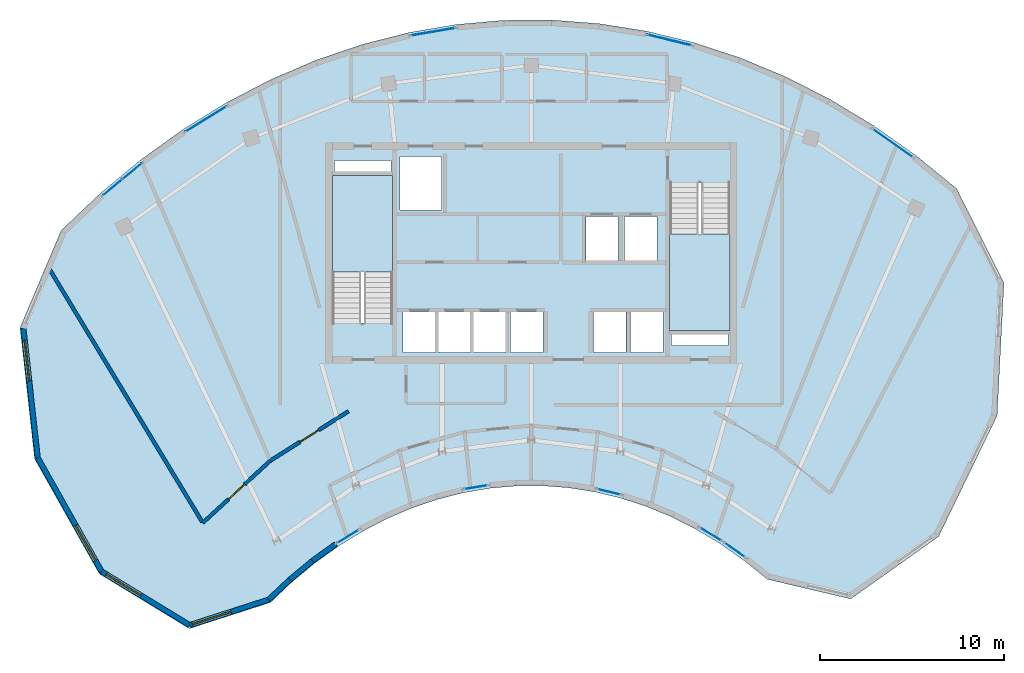
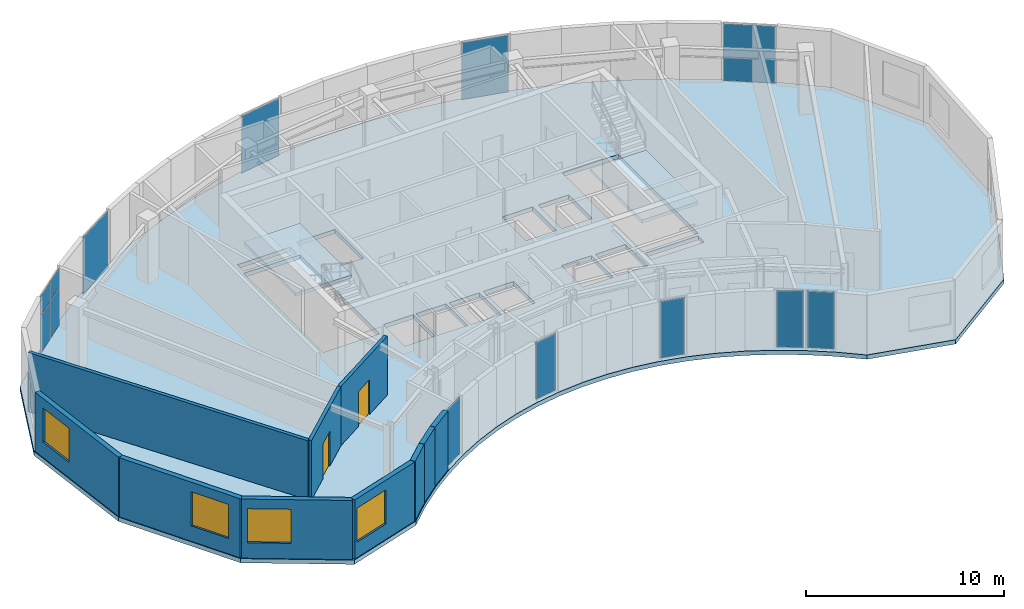
# One storey, part 4 of 9: 13 plates, 10 walls, 4 windows, 3 slabs, 2 doors, 6 openings, 12 elements without a shape of their own.
"""IFC4 building model written with IfcOpenShell, lengths in metres."""

from ifc_helpers import new_model, si_unit, direction, frame, frame_2d, origin, origin_2d, place, context, subcontext, project, spatial, polyline, rectangle, outline, extrude, source, transform, mapped, material, layer, layer_set, type_object, type_shapes, element, fill, aggregate, save


model = new_model("IFC4")

# Units and contexts
model_context = context("Model", 3, precision=1e-05, world=origin(), true_north=direction((0.0, 1.0)))
body_context = subcontext(model_context, "Body", "Model", "MODEL_VIEW")
ifc_project = project(units=[si_unit("LENGTHUNIT", "METRE"), si_unit("AREAUNIT", "SQUARE_METRE"), si_unit("VOLUMEUNIT", "CUBIC_METRE"), si_unit("PLANEANGLEUNIT", "RADIAN"), si_unit("MASSUNIT", "GRAM", prefix="KILO")], contexts=[model_context])

# Site, building, storey
site_placement = place(None, origin())
site = spatial("IfcSite", under=ifc_project, at=site_placement, CompositionType="ELEMENT")
building_placement = place(site_placement, origin())
building = spatial("IfcBuilding", under=site, at=building_placement, Name="Breltana Convention Tower", CompositionType="ELEMENT")
storey_placement = place(building_placement, frame((0.0, 0.0, 279.60009765625)))
storey = spatial("IfcBuildingStorey", under=building, at=storey_placement, Name="L68", CompositionType="ELEMENT", Elevation=279.60009765625)

# Stair, slab
ifc_material_1 = material(Name="Concrete C40/50", Category="concrete")
stair_type = type_object("IfcStairType", Name="ST-DOG-1560-R177", PredefinedType="HALF_TURN_STAIR", material=ifc_material_1)
stair_1_placement = place(storey_placement, origin())
stair_1 = element("IfcStair", 1, at=stair_1_placement, inside=storey, type_object=stair_type, Name="L68 Protected Core Exit Stair ST-1", PredefinedType="HALF_TURN_STAIR")
ifc_layer_1 = layer(ifc_material_1, 0.199951171875, Name="Concrete C40/50")
ifc_layer_set_1 = layer_set([ifc_layer_1], Name="Concrete C40/50")
slab_type_1 = type_object("IfcSlabType", Name="SL-STAIR-LANDING-200", PredefinedType="LANDING", material=ifc_layer_set_1)
slab_1_placement = place(storey_placement, frame((0.0, 0.0, 1.75)))
slab_1 = element("IfcSlab", 2, at=slab_1_placement, type_object=slab_type_1, Name="ST-1 landing 1", PredefinedType="LANDING", context=body_context, shape_type="SweptSolid", body=[
    extrude(outline(polyline([(40.469970703125, 65.159912109375), (40.469970703125, 70.39990234375), (37.199951171875, 70.39990234375), (37.199951171875, 65.159912109375), (40.469970703125, 65.159912109375)])), origin(), (0.0, 0.0, 1.0), 0.199951171875),
])
aggregate(stair_1, [slab_1])

stair_2_placement = place(storey_placement, origin())
stair_2 = element("IfcStair", 3, at=stair_2_placement, inside=storey, type_object=stair_type, Name="L68 Protected Core Exit Stair ST-2", PredefinedType="HALF_TURN_STAIR")
slab_2_placement = place(storey_placement, frame((0.0, 0.0, 1.75)))
slab_2 = element("IfcSlab", 4, at=slab_2_placement, type_object=slab_type_1, Name="ST-2 landing 1", PredefinedType="LANDING", context=body_context, shape_type="SweptSolid", body=[
    extrude(outline(polyline([(55.530029296875, 67.239990234375), (55.530029296875, 62.0), (58.800048828125, 62.0), (58.800048828125, 67.239990234375), (55.530029296875, 67.239990234375)])), origin(), (0.0, 0.0, 1.0), 0.199951171875),
])
aggregate(stair_2, [slab_2])

# Slab
ifc_layer_2 = layer(ifc_material_1, 0.260009765625, Name="Concrete C40/50")
ifc_layer_set_2 = layer_set([ifc_layer_2], Name="Concrete C40/50")
slab_type_2 = type_object("IfcSlabType", Name="SL-UPP-260", PredefinedType="FLOOR", material=ifc_layer_set_2)
slab_3_placement = place(storey_placement, frame((0.0, 0.0, -0.260009765625)))
element("IfcSlab", 5, at=slab_3_placement, inside=storey, type_object=slab_type_2, Name="L68 Suspended Structural Floor Slab", PredefinedType="FLOOR", context=body_context, shape_type="SweptSolid", body=[
    extrude(outline(polyline([(71.119873046875, 69.7060546875), (68.9033203125, 71.50830078125), (66.60888671875, 73.126220703125), (64.244873046875, 74.552978515625), (61.8203125, 75.783935546875), (59.34423828125, 76.814208984375), (56.825927734375, 77.639892578125), (54.2744140625, 78.25830078125), (51.69970703125, 78.66650390625), (49.111083984375, 78.863525390625), (46.5185546875, 78.848388671875), (43.931396484375, 78.62109375), (41.359375, 78.1826171875), (38.81201171875, 77.53466796875), (36.29931640625, 76.679443359375), (33.829833984375, 75.620361328125), (31.41357421875, 74.361083984375), (29.058837890625, 72.906494140625), (26.77490234375, 71.26220703125), (24.5703125, 69.433837890625), (22.452880859375, 67.4287109375), (20.216796875, 62.142578125), (21.007080078125, 55.0126953125), (24.52197265625, 48.762451171875), (29.418701171875, 45.779296875), (33.827392578125, 47.202392578125), (35.001953125, 48.31494140625), (36.22509765625, 49.3291015625), (37.491943359375, 50.241455078125), (38.79833984375, 51.04833984375), (40.138916015625, 51.746826171875), (41.5087890625, 52.33447265625), (42.90283203125, 52.80908203125), (44.31591796875, 53.16845703125), (45.742919921875, 53.41162109375), (47.177978515625, 53.537841796875), (48.616455078125, 53.546142578125), (50.052490234375, 53.43701171875), (51.48095703125, 53.21044921875), (52.896240234375, 52.867431640625), (54.29345703125, 52.4091796875), (55.6669921875, 51.837646484375), (57.01220703125, 51.15478515625), (58.323486328125, 50.36328125), (59.5966796875, 49.4658203125), (60.826171875, 48.4658203125), (65.370849609375, 47.394775390625), (70.1455078125, 50.789306640625), (73.326416015625, 57.352783203125), (73.698486328125, 64.57861328125), (71.119873046875, 69.7060546875)]), holes=[polyline([(37.199951171875, 62.385009765625), (40.469970703125, 62.385009765625), (40.469970703125, 70.39990234375), (37.199951171875, 70.39990234375), (37.199951171875, 62.385009765625)]), polyline([(55.530029296875, 62.0), (58.800048828125, 62.0), (58.800048828125, 70.014892578125), (55.530029296875, 70.014892578125), (55.530029296875, 62.0)]), polyline([(41.0400390625, 60.800048828125), (42.800048828125, 60.800048828125), (42.800048828125, 62.97998046875), (41.0400390625, 62.97998046875), (41.0400390625, 60.800048828125)]), polyline([(42.93994140625, 60.800048828125), (44.699951171875, 60.800048828125), (44.699951171875, 62.97998046875), (42.93994140625, 62.97998046875), (42.93994140625, 60.800048828125)]), polyline([(44.8701171875, 60.800048828125), (46.6298828125, 60.800048828125), (46.6298828125, 62.97998046875), (44.8701171875, 62.97998046875), (44.8701171875, 60.800048828125)]), polyline([(46.8701171875, 60.800048828125), (48.6298828125, 60.800048828125), (48.6298828125, 62.97998046875), (46.8701171875, 62.97998046875), (46.8701171875, 60.800048828125)]), polyline([(51.39990234375, 60.800048828125), (53.159912109375, 60.800048828125), (53.159912109375, 62.97998046875), (51.39990234375, 62.97998046875), (51.39990234375, 60.800048828125)]), polyline([(53.39990234375, 60.800048828125), (55.159912109375, 60.800048828125), (55.159912109375, 62.97998046875), (53.39990234375, 62.97998046875), (53.39990234375, 60.800048828125)]), polyline([(50.969970703125, 65.800048828125), (52.72998046875, 65.800048828125), (52.72998046875, 68.179931640625), (50.969970703125, 68.179931640625), (50.969970703125, 65.800048828125)]), polyline([(53.070068359375, 65.800048828125), (54.830078125, 65.800048828125), (54.830078125, 68.179931640625), (53.070068359375, 68.179931640625), (53.070068359375, 65.800048828125)]), polyline([(40.8798828125, 68.550048828125), (43.1201171875, 68.550048828125), (43.1201171875, 71.449951171875), (40.8798828125, 71.449951171875), (40.8798828125, 68.550048828125)]), polyline([(37.300048828125, 70.60009765625), (40.3798828125, 70.60009765625), (40.3798828125, 71.219970703125), (37.300048828125, 71.219970703125), (37.300048828125, 70.60009765625)]), polyline([(55.6201171875, 61.179931640625), (58.699951171875, 61.179931640625), (58.699951171875, 61.800048828125), (55.6201171875, 61.800048828125), (55.6201171875, 61.179931640625)])]), origin(), (0.0, 0.0, 1.0), 0.260009765625),
])

# Curtain wall, plate
ifc_material_2 = material(Name="Aluminium Anodised Bronze Frame", Category="aluminium")
ifc_layer_3 = layer(ifc_material_2, 0.18994140625, Name="Aluminium Anodised Bronze Frame")
ifc_layer_set_3 = layer_set([ifc_layer_3], Name="Aluminium Anodised Bronze Frame")
curtain_wall_type_1 = type_object("IfcCurtainWallType", Name="CW-SYS-1", PredefinedType="NOTDEFINED", material=ifc_layer_set_3)
curtain_wall_1_placement = place(storey_placement, origin())
curtain_wall_1 = element("IfcCurtainWall", 6, at=curtain_wall_1_placement, inside=storey, type_object=curtain_wall_type_1, Name="L68 inner south-court glazing 1", PredefinedType="NOTDEFINED")
ifc_material_3 = material(Name="Glass Low-E Double Glazing", Category="glass")
ifc_layer_4 = layer(ifc_material_3, 0.028076171875, Name="Glass Low-E Double Glazing")
ifc_layer_set_4 = layer_set([ifc_layer_4], Name="Glass Low-E Double Glazing")
plate_type_1 = type_object("IfcPlateType", Name="CWP-IGU-28", PredefinedType="CURTAIN_PANEL", material=ifc_layer_set_4)
shared_shape_1 = source(origin(), body_context, "Body", "SweptSolid", [
    extrude(rectangle(XDim=1.3974609375, YDim=0.028076171875, at=origin_2d()), origin(), (0.0, 0.0, 1.0), 3.47998046875),
])
plate_1_placement = place(storey_placement, frame((59.063720703125, 50.0615234375, 0.079833984375), z_axis=(0.0, 0.0, 1.0), x_axis=(-0.817327132857, 0.576173895534, 0.0)))
plate_1 = element("IfcPlate", 7, at=plate_1_placement, type_object=plate_type_1, Name="CW-01 panel 1.1", PredefinedType="CURTAIN_PANEL", context=body_context, shape_type="MappedRepresentation", body=[
    mapped(shared_shape_1, transform((0.0, 0.0, 0.0), scale=1.0)),
])
aggregate(curtain_wall_1, [plate_1])

curtain_wall_2_placement = place(storey_placement, origin())
curtain_wall_2 = element("IfcCurtainWall", 8, at=curtain_wall_2_placement, inside=storey, type_object=curtain_wall_type_1, Name="L68 inner south-court glazing 2", PredefinedType="NOTDEFINED")
shared_shape_2 = source(origin(), body_context, "Body", "SweptSolid", [
    extrude(rectangle(XDim=1.371826171875, YDim=0.028076171875, at=origin_2d()), origin(), (0.0, 0.0, 1.0), 3.47998046875),
])
plate_2_placement = place(storey_placement, frame((57.760986328125, 50.9130859375, 0.079833984375), z_axis=(0.0, 0.0, 1.0), x_axis=(-0.856090059164, 0.516826673654, 0.0)))
plate_2 = element("IfcPlate", 9, at=plate_2_placement, type_object=plate_type_1, Name="CW-01 panel 1.1", PredefinedType="CURTAIN_PANEL", context=body_context, shape_type="MappedRepresentation", body=[
    mapped(shared_shape_2, transform((0.0, 0.0, 0.0), scale=1.0)),
])
aggregate(curtain_wall_2, [plate_2])

curtain_wall_3_placement = place(storey_placement, origin())
curtain_wall_3 = element("IfcCurtainWall", 10, at=curtain_wall_3_placement, inside=storey, type_object=curtain_wall_type_1, Name="L68 inner south-court glazing 3", PredefinedType="NOTDEFINED")
shared_shape_3 = source(origin(), body_context, "Body", "SweptSolid", [
    extrude(rectangle(XDim=1.29638671875, YDim=0.028076171875, at=origin_2d()), origin(), (0.0, 0.0, 1.0), 3.47998046875),
])
plate_3_placement = place(storey_placement, frame((52.23095703125, 53.2138671875, 0.079833984375), z_axis=(0.0, 0.0, 1.0), x_axis=(-0.97187011181, 0.235517485062, 0.0)))
plate_3 = element("IfcPlate", 11, at=plate_3_placement, type_object=plate_type_1, Name="CW-01 panel 1.1", PredefinedType="CURTAIN_PANEL", context=body_context, shape_type="MappedRepresentation", body=[
    mapped(shared_shape_3, transform((0.0, 0.0, 0.0), scale=1.0)),
])
aggregate(curtain_wall_3, [plate_3])

curtain_wall_4_placement = place(storey_placement, origin())
curtain_wall_4 = element("IfcCurtainWall", 12, at=curtain_wall_4_placement, inside=storey, type_object=curtain_wall_type_1, Name="L68 inner south-court glazing 4", PredefinedType="NOTDEFINED")
shared_shape_4 = source(origin(), body_context, "Body", "SweptSolid", [
    extrude(rectangle(XDim=1.287353515625, YDim=0.028076171875, at=origin_2d()), origin(), (0.0, 0.0, 1.0), 3.47998046875),
])
plate_4_placement = place(storey_placement, frame((44.999267578125, 53.467529296875, 0.079833984375), z_axis=(0.0, 0.0, 1.0), x_axis=(-0.985782236223, -0.168027922521, 0.0)))
plate_4 = element("IfcPlate", 13, at=plate_4_placement, type_object=plate_type_1, Name="CW-01 panel 1.1", PredefinedType="CURTAIN_PANEL", context=body_context, shape_type="MappedRepresentation", body=[
    mapped(shared_shape_4, transform((0.0, 0.0, 0.0), scale=1.0)),
])
aggregate(curtain_wall_4, [plate_4])

curtain_wall_5_placement = place(storey_placement, origin())
curtain_wall_5 = element("IfcCurtainWall", 14, at=curtain_wall_5_placement, inside=storey, type_object=curtain_wall_type_1, Name="L68 inner south-court glazing 5", PredefinedType="NOTDEFINED")
shared_shape_5 = source(origin(), body_context, "Body", "SweptSolid", [
    extrude(rectangle(XDim=1.37548828125, YDim=0.028076171875, at=origin_2d()), origin(), (0.0, 0.0, 1.0), 3.47998046875),
])
plate_5_placement = place(storey_placement, frame((38.050537109375, 50.798095703125, 0.079833984375), z_axis=(0.0, 0.0, 1.0), x_axis=(-0.850749179302, -0.525571911271, 0.0)))
plate_5 = element("IfcPlate", 15, at=plate_5_placement, type_object=plate_type_1, Name="CW-01 panel 1.1", PredefinedType="CURTAIN_PANEL", context=body_context, shape_type="MappedRepresentation", body=[
    mapped(shared_shape_5, transform((0.0, 0.0, 0.0), scale=1.0)),
])
aggregate(curtain_wall_5, [plate_5])

ifc_layer_5 = layer(ifc_material_2, 0.22998046875, Name="Aluminium Anodised Bronze Frame")
ifc_layer_set_5 = layer_set([ifc_layer_5], Name="Aluminium Anodised Bronze Frame")
curtain_wall_type_2 = type_object("IfcCurtainWallType", Name="CW-SYS-5", PredefinedType="NOTDEFINED", material=ifc_layer_set_5)
curtain_wall_6_placement = place(storey_placement, origin())
curtain_wall_6 = element("IfcCurtainWall", 16, at=curtain_wall_6_placement, inside=storey, type_object=curtain_wall_type_2, Name="L68 outer double-skin inner glazing 3", PredefinedType="NOTDEFINED")
ifc_layer_6 = layer(ifc_material_3, 0.035888671875, Name="Glass Low-E Double Glazing")
ifc_layer_set_6 = layer_set([ifc_layer_6], Name="Glass Low-E Double Glazing")
plate_type_2 = type_object("IfcPlateType", Name="CWP-IGU-36", PredefinedType="CURTAIN_PANEL", material=ifc_layer_set_6)
shared_shape_6 = source(origin(), body_context, "Body", "SweptSolid", [
    extrude(rectangle(XDim=2.454345703125, YDim=0.035888671875, at=origin_2d()), origin(), (0.0, 0.0, 1.0), 3.5),
])
plate_6_placement = place(storey_placement, frame((42.675537109375, 78.224365234375, 0.06982421875), z_axis=(0.0, 0.0, 1.0), x_axis=(0.985784110175, 0.168016928095, 0.0)))
plate_6 = element("IfcPlate", 17, at=plate_6_placement, type_object=plate_type_2, Name="CW-05 panel 1.1", PredefinedType="CURTAIN_PANEL", context=body_context, shape_type="MappedRepresentation", body=[
    mapped(shared_shape_6, transform((0.0, 0.0, 0.0), scale=1.0)),
])
aggregate(curtain_wall_6, [plate_6])

curtain_wall_7_placement = place(storey_placement, origin())
curtain_wall_7 = element("IfcCurtainWall", 18, at=curtain_wall_7_placement, inside=storey, type_object=curtain_wall_type_2, Name="L68 outer double-skin inner glazing 4", PredefinedType="NOTDEFINED")
shared_shape_7 = source(origin(), body_context, "Body", "SweptSolid", [
    extrude(rectangle(XDim=2.470947265625, YDim=0.035888671875, at=origin_2d()), origin(), (0.0, 0.0, 1.0), 3.5),
])
plate_7_placement = place(storey_placement, frame((55.5078125, 77.774169921875, 0.06982421875), z_axis=(0.0, 0.0, 1.0), x_axis=(0.971870033767, -0.235517807109, 0.0)))
plate_7 = element("IfcPlate", 19, at=plate_7_placement, type_object=plate_type_2, Name="CW-05 panel 1.1", PredefinedType="CURTAIN_PANEL", context=body_context, shape_type="MappedRepresentation", body=[
    mapped(shared_shape_7, transform((0.0, 0.0, 0.0), scale=1.0)),
])
aggregate(curtain_wall_7, [plate_7])

curtain_wall_8_placement = place(storey_placement, origin())
curtain_wall_8 = element("IfcCurtainWall", 20, at=curtain_wall_8_placement, inside=storey, type_object=curtain_wall_type_2, Name="L68 outer double-skin inner glazing 5", PredefinedType="NOTDEFINED")
shared_shape_8 = source(origin(), body_context, "Body", "SweptSolid", [
    extrude(rectangle(XDim=2.65478515625, YDim=0.035888671875, at=origin_2d()), origin(), (0.0, 0.0, 1.0), 3.5),
])
plate_8_placement = place(storey_placement, frame((67.652587890625, 72.170166015625, 0.06982421875), z_axis=(0.0, 0.0, 1.0), x_axis=(0.817284057658, -0.576234994683, 0.0)))
plate_8 = element("IfcPlate", 21, at=plate_8_placement, type_object=plate_type_2, Name="CW-05 panel 1.1", PredefinedType="CURTAIN_PANEL", context=body_context, shape_type="MappedRepresentation", body=[
    mapped(shared_shape_8, transform((0.0, 0.0, 0.0), scale=1.0)),
])
aggregate(curtain_wall_8, [plate_8])

# Curtain wall, plates
curtain_wall_9_placement = place(storey_placement, origin())
curtain_wall_9 = element("IfcCurtainWall", 22, at=curtain_wall_9_placement, inside=storey, type_object=curtain_wall_type_2, Name="L68 outer double-skin inner glazing 1", PredefinedType="NOTDEFINED")
shared_shape_9 = source(origin(), body_context, "Body", "SweptSolid", [
    extrude(rectangle(XDim=1.321044921875, YDim=0.035888671875, at=origin_2d()), origin(), (0.0, 0.0, 1.0), 2.260986328125),
])
plate_9_placement = place(storey_placement, frame((25.252197265625, 69.765380859375, 0.06982421875), z_axis=(0.0, 0.0, 1.0), x_axis=(0.76977098678, 0.638320160979, 0.0)))
plate_9 = element("IfcPlate", 23, at=plate_9_placement, type_object=plate_type_2, Name="CW-05 panel 1.1", PredefinedType="CURTAIN_PANEL", context=body_context, shape_type="MappedRepresentation", body=[
    mapped(shared_shape_9, transform((0.0, 0.0, 0.0), scale=1.0)),
])
plate_10_placement = place(storey_placement, frame((26.322998046875, 70.6533203125, 0.06982421875), z_axis=(0.0, 0.0, 1.0), x_axis=(0.76977098678, 0.638320160979, 0.0)))
plate_10 = element("IfcPlate", 24, at=plate_10_placement, type_object=plate_type_2, Name="CW-05 panel 2.1", PredefinedType="CURTAIN_PANEL", context=body_context, shape_type="MappedRepresentation", body=[
    mapped(shared_shape_9, transform((0.0, 0.0, 0.0), scale=1.0)),
])
shared_shape_10 = source(origin(), body_context, "Body", "SweptSolid", [
    extrude(rectangle(XDim=1.321044921875, YDim=0.035888671875, at=origin_2d()), origin(), (0.0, 0.0, 1.0), 1.1689453125),
])
plate_11_placement = place(storey_placement, frame((25.252197265625, 69.765380859375, 2.40087890625), z_axis=(0.0, 0.0, 1.0), x_axis=(0.76977098678, 0.638320160979, 0.0)))
plate_11 = element("IfcPlate", 25, at=plate_11_placement, type_object=plate_type_2, Name="CW-05 panel 1.2", PredefinedType="CURTAIN_PANEL", context=body_context, shape_type="MappedRepresentation", body=[
    mapped(shared_shape_10, transform((0.0, 0.0, 0.0), scale=1.0)),
])
plate_12_placement = place(storey_placement, frame((26.322998046875, 70.6533203125, 2.40087890625), z_axis=(0.0, 0.0, 1.0), x_axis=(0.76977098678, 0.638320160979, 0.0)))
plate_12 = element("IfcPlate", 26, at=plate_12_placement, type_object=plate_type_2, Name="CW-05 panel 2.2", PredefinedType="CURTAIN_PANEL", context=body_context, shape_type="MappedRepresentation", body=[
    mapped(shared_shape_10, transform((0.0, 0.0, 0.0), scale=1.0)),
])
aggregate(curtain_wall_9, [plate_9, plate_11, plate_10, plate_12])

# Curtain wall, plate
curtain_wall_10_placement = place(storey_placement, origin())
curtain_wall_10 = element("IfcCurtainWall", 27, at=curtain_wall_10_placement, inside=storey, type_object=curtain_wall_type_2, Name="L68 outer double-skin inner glazing 2", PredefinedType="NOTDEFINED")
shared_shape_11 = source(origin(), body_context, "Body", "SweptSolid", [
    extrude(rectangle(XDim=2.61474609375, YDim=0.035888671875, at=origin_2d()), origin(), (0.0, 0.0, 1.0), 3.5),
])
plate_13_placement = place(storey_placement, frame((30.330810546875, 73.480712890625, 0.06982421875), z_axis=(0.0, 0.0, 1.0), x_axis=(0.850768399946, 0.525540797325, 0.0)))
plate_13 = element("IfcPlate", 28, at=plate_13_placement, type_object=plate_type_2, Name="CW-05 panel 1.1", PredefinedType="CURTAIN_PANEL", context=body_context, shape_type="MappedRepresentation", body=[
    mapped(shared_shape_11, transform((0.0, 0.0, 0.0), scale=1.0)),
])
aggregate(curtain_wall_10, [plate_13])

# Walls
ifc_material_4 = material(Name="Limestone Buff Insulated Wall", Category="masonry")
ifc_layer_7 = layer(ifc_material_4, 0.280029296875, Name="Limestone Buff Insulated Wall")
ifc_layer_set_7 = layer_set([ifc_layer_7], Name="Limestone Buff Insulated Wall")
wall_type_1 = type_object("IfcWallType", Name="WL-EXT-NOSE-280", PredefinedType="SOLIDWALL", material=ifc_layer_set_7)
shared_shape_12 = source(origin(), body_context, "Body", "SweptSolid", [
    extrude(rectangle(XDim=1.56103515625, YDim=0.280029296875, at=frame_2d((0.780517578125, 0.0))), origin(), (0.0, 0.0, 1.0), 3.639892578125),
])
wall_1_placement = place(storey_placement, frame((37.38671875, 50.387451171875, 0.0), z_axis=(0.0, 0.0, 1.0), x_axis=(-0.81154027425, -0.584296485758, 0.0)))
element("IfcWall", 29, at=wall_1_placement, inside=storey, type_object=wall_type_1, Name="L68 curved limestone nose wall E18", PredefinedType="SOLIDWALL", context=body_context, shape_type="MappedRepresentation", body=[
    mapped(shared_shape_12, transform((0.0, 0.0, 0.0), scale=1.0)),
])
shared_shape_13 = source(origin(), body_context, "Body", "SweptSolid", [
    extrude(rectangle(XDim=1.5888671875, YDim=0.280029296875, at=frame_2d((0.79443359375, 0.0))), origin(), (0.0, 0.0, 1.0), 3.639892578125),
])
wall_2_placement = place(storey_placement, frame((36.110107421875, 49.4677734375, 0.0), z_axis=(0.0, 0.0, 1.0), x_axis=(-0.769805836273, -0.63827813251, 0.0)))
element("IfcWall", 30, at=wall_2_placement, inside=storey, type_object=wall_type_1, Name="L68 curved limestone nose wall E19", PredefinedType="SOLIDWALL", context=body_context, shape_type="MappedRepresentation", body=[
    mapped(shared_shape_13, transform((0.0, 0.0, 0.0), scale=1.0)),
])
shared_shape_14 = source(origin(), body_context, "Body", "SweptSolid", [
    extrude(rectangle(XDim=1.576904296875, YDim=0.280029296875, at=frame_2d((0.78857421875, 0.0))), origin(), (0.0, 0.0, 1.0), 3.639892578125),
])
wall_3_placement = place(storey_placement, frame((34.878173828125, 48.445556640625, 0.0), z_axis=(0.0, 0.0, 1.0), x_axis=(-0.726119464467, -0.687568558998, 0.0)))
element("IfcWall", 31, at=wall_3_placement, inside=storey, type_object=wall_type_1, Name="L68 curved limestone nose wall W1", PredefinedType="SOLIDWALL", context=body_context, shape_type="MappedRepresentation", body=[
    mapped(shared_shape_14, transform((0.0, 0.0, 0.0), scale=1.0)),
])

# Wall, opening, window
shared_shape_15 = source(origin(), body_context, "Body", "SweptSolid", [
    extrude(rectangle(XDim=4.50927734375, YDim=0.280029296875, at=frame_2d((2.254638671875, 0.0))), origin(), (0.0, 0.0, 1.0), 3.639892578125),
])
wall_4_placement = place(storey_placement, frame((33.733154296875, 47.361328125, 0.0), z_axis=(0.0, 0.0, 1.0), x_axis=(-0.95162949292, -0.307247958828, 0.0)))
wall_4 = element("IfcWall", 32, at=wall_4_placement, inside=storey, type_object=wall_type_1, Name="L68 curved limestone nose wall W2", PredefinedType="SOLIDWALL", context=body_context, shape_type="MappedRepresentation", body=[
    mapped(shared_shape_15, transform((0.0, 0.0, 0.0), scale=1.0)),
])
opening_1_placement = place(wall_4_placement, frame((2.1494140625, 0.0, 0.949951171875)))
opening_1 = element("IfcOpeningElement", 33, at=opening_1_placement, cuts=wall_4, Name="Opening W-03", PredefinedType="OPENING", context=body_context, shape_type="SweptSolid", body=[
    extrude(rectangle(XDim=2.199951171875, YDim=2.10009765625, at=frame_2d((1.10009765625, 1.050048828125))), frame((0.0, 0.14990234375, 0.0), z_axis=(0.0, -1.0, 0.0), x_axis=(1.0, 0.0, 0.0)), (0.0, 0.0, 1.0), 0.300048828125),
])
ifc_material_5 = material(Name="Glass Low-E Insulated Window", Category="glass")
window_type = type_object("IfcWindowType", Name="WN-NOSE-2200X2100", PartitioningType="TRIPLE_PANEL_VERTICAL", PredefinedType="WINDOW", material=ifc_material_5)
shared_shape_16 = source(origin(), body_context, "Body", "SweptSolid", [
    extrude(rectangle(XDim=2.199951171875, YDim=2.10009765625, at=frame_2d((1.10009765625, 1.050048828125))), frame((0.0, 0.030029296875, 0.0), z_axis=(0.0, -1.0, 0.0), x_axis=(1.0, 0.0, 0.0)), (0.0, 0.0, 1.0), 0.06005859375),
])
type_shapes(window_type, [shared_shape_16])
window_1_placement = place(opening_1_placement, origin())
window_1 = element("IfcWindow", 34, at=window_1_placement, inside=storey, type_object=window_type, Name="L68 nose window W2", OverallHeight=2.10009765625, OverallWidth=2.199951171875, PartitioningType="TRIPLE_PANEL_VERTICAL", PredefinedType="WINDOW", context=body_context, shape_type="MappedRepresentation", body=[
    mapped(shared_shape_16, transform((0.0, 0.0, 0.0), scale=1.0)),
])
fill(opening_1, window_1)

shared_shape_17 = source(origin(), body_context, "Body", "SweptSolid", [
    extrude(rectangle(XDim=5.604248046875, YDim=0.280029296875, at=frame_2d((2.80224609375, 0.0))), origin(), (0.0, 0.0, 1.0), 3.639892578125),
])
wall_5_placement = place(storey_placement, frame((29.44189453125, 45.975830078125, 0.0), z_axis=(0.0, 0.0, 1.0), x_axis=(-0.854002492971, 0.520268913158, 0.0)))
wall_5 = element("IfcWall", 35, at=wall_5_placement, inside=storey, type_object=wall_type_1, Name="L68 curved limestone nose wall W3", PredefinedType="SOLIDWALL", context=body_context, shape_type="MappedRepresentation", body=[
    mapped(shared_shape_17, transform((0.0, 0.0, 0.0), scale=1.0)),
])
opening_2_placement = place(wall_5_placement, frame((3.103271484375, 0.0, 0.949951171875)))
opening_2 = element("IfcOpeningElement", 36, at=opening_2_placement, cuts=wall_5, Name="Opening W-03", PredefinedType="OPENING", context=body_context, shape_type="SweptSolid", body=[
    extrude(rectangle(XDim=2.199951171875, YDim=2.10009765625, at=frame_2d((1.10009765625, 1.050048828125))), frame((0.0, 0.14990234375, 0.0), z_axis=(0.0, -1.0, 0.0), x_axis=(1.0, 0.0, 0.0)), (0.0, 0.0, 1.0), 0.300048828125),
])
window_2_placement = place(opening_2_placement, origin())
window_2 = element("IfcWindow", 37, at=window_2_placement, inside=storey, type_object=window_type, Name="L68 nose window W3", OverallHeight=2.10009765625, OverallWidth=2.199951171875, PartitioningType="TRIPLE_PANEL_VERTICAL", PredefinedType="WINDOW", context=body_context, shape_type="MappedRepresentation", body=[
    mapped(shared_shape_16, transform((0.0, 0.0, 0.0), scale=1.0)),
])
fill(opening_2, window_2)

shared_shape_18 = source(origin(), body_context, "Body", "SweptSolid", [
    extrude(rectangle(XDim=7.087158203125, YDim=0.280029296875, at=frame_2d((3.54345703125, 0.0))), origin(), (0.0, 0.0, 1.0), 3.639892578125),
])
wall_6_placement = place(storey_placement, frame((24.65576171875, 48.8916015625, 0.0), z_axis=(0.0, 0.0, 1.0), x_axis=(-0.490158199368, 0.871633489256, 0.0)))
wall_6 = element("IfcWall", 38, at=wall_6_placement, inside=storey, type_object=wall_type_1, Name="L68 curved limestone nose wall W4", PredefinedType="SOLIDWALL", context=body_context, shape_type="MappedRepresentation", body=[
    mapped(shared_shape_18, transform((0.0, 0.0, 0.0), scale=1.0)),
])
opening_3_placement = place(wall_6_placement, frame((0.671875, 0.0, 0.949951171875)))
opening_3 = element("IfcOpeningElement", 39, at=opening_3_placement, cuts=wall_6, Name="Opening W-03", PredefinedType="OPENING", context=body_context, shape_type="SweptSolid", body=[
    extrude(rectangle(XDim=2.199951171875, YDim=2.10009765625, at=frame_2d((1.10009765625, 1.050048828125))), frame((0.0, 0.14990234375, 0.0), z_axis=(0.0, -1.0, 0.0), x_axis=(1.0, 0.0, 0.0)), (0.0, 0.0, 1.0), 0.300048828125),
])
window_3_placement = place(opening_3_placement, origin())
window_3 = element("IfcWindow", 40, at=window_3_placement, inside=storey, type_object=window_type, Name="L68 nose window W4", OverallHeight=2.10009765625, OverallWidth=2.199951171875, PartitioningType="TRIPLE_PANEL_VERTICAL", PredefinedType="WINDOW", context=body_context, shape_type="MappedRepresentation", body=[
    mapped(shared_shape_16, transform((0.0, 0.0, 0.0), scale=1.0)),
])
fill(opening_3, window_3)

shared_shape_19 = source(origin(), body_context, "Body", "SweptSolid", [
    extrude(rectangle(XDim=7.08984375, YDim=0.280029296875, at=frame_2d((3.544921875, 0.0))), origin(), (0.0, 0.0, 1.0), 3.639892578125),
])
wall_7_placement = place(storey_placement, frame((21.181884765625, 55.069091796875, 0.0), z_axis=(0.0, 0.0, 1.0), x_axis=(-0.110159396922, 0.993913933532, 0.0)))
wall_7 = element("IfcWall", 41, at=wall_7_placement, inside=storey, type_object=wall_type_1, Name="L68 curved limestone nose wall W5", PredefinedType="SOLIDWALL", context=body_context, shape_type="MappedRepresentation", body=[
    mapped(shared_shape_19, transform((0.0, 0.0, 0.0), scale=1.0)),
])
opening_4_placement = place(wall_7_placement, frame((4.21728515625, 0.0, 0.949951171875)))
opening_4 = element("IfcOpeningElement", 42, at=opening_4_placement, cuts=wall_7, Name="Opening W-03", PredefinedType="OPENING", context=body_context, shape_type="SweptSolid", body=[
    extrude(rectangle(XDim=2.199951171875, YDim=2.10009765625, at=frame_2d((1.10009765625, 1.050048828125))), frame((0.0, 0.14990234375, 0.0), z_axis=(0.0, -1.0, 0.0), x_axis=(1.0, 0.0, 0.0)), (0.0, 0.0, 1.0), 0.300048828125),
])
window_4_placement = place(opening_4_placement, origin())
window_4 = element("IfcWindow", 43, at=window_4_placement, inside=storey, type_object=window_type, Name="L68 nose window W5", OverallHeight=2.10009765625, OverallWidth=2.199951171875, PartitioningType="TRIPLE_PANEL_VERTICAL", PredefinedType="WINDOW", context=body_context, shape_type="MappedRepresentation", body=[
    mapped(shared_shape_16, transform((0.0, 0.0, 0.0), scale=1.0)),
])
fill(opening_4, window_4)

# Wall, opening, door
ifc_material_6 = material(Name="Gypsum Acoustic Hotel Wall")
ifc_layer_8 = layer(ifc_material_6, 0.195068359375, Name="Gypsum Acoustic Hotel Wall")
ifc_layer_set_8 = layer_set([ifc_layer_8], Name="Gypsum Acoustic Hotel Wall")
wall_type_2 = type_object("IfcWallType", Name="WL-HOTEL-200", PredefinedType="PARTITIONING", material=ifc_layer_set_8)
shared_shape_20 = source(origin(), body_context, "Body", "SweptSolid", [
    extrude(rectangle(XDim=4.98583984375, YDim=0.195068359375, at=frame_2d((2.492919921875, 0.0))), origin(), (0.0, 0.0, 1.0), 3.639892578125),
])
wall_8_placement = place(storey_placement, frame((30.152587890625, 51.533447265625, 0.0), z_axis=(0.0, 0.0, 1.0), x_axis=(0.735595190169, 0.677421372707, 0.0)))
wall_8 = element("IfcWall", 44, at=wall_8_placement, inside=storey, type_object=wall_type_2, Name="L68 interior partition W-L68-EXWR1-COR", PredefinedType="PARTITIONING", context=body_context, shape_type="MappedRepresentation", body=[
    mapped(shared_shape_20, transform((0.0, 0.0, 0.0), scale=1.0)),
])
opening_5_placement = place(wall_8_placement, frame((1.892822265625, 0.0, 0.0)))
opening_5 = element("IfcOpeningElement", 45, at=opening_5_placement, cuts=wall_8, Name="Opening D-10", PredefinedType="OPENING", context=body_context, shape_type="SweptSolid", body=[
    extrude(rectangle(XDim=1.199951171875, YDim=2.14990234375, at=frame_2d((0.60009765625, 1.074951171875))), frame((0.0, 0.107421875, 0.0), z_axis=(0.0, -1.0, 0.0), x_axis=(1.0, 0.0, 0.0)), (0.0, 0.0, 1.0), 0.215087890625),
])
ifc_material_7 = material(Name="Timber Oak Veneer Fire Door", Category="wood")
door_type = type_object("IfcDoorType", Name="DR-INT-1200", OperationType="NOTDEFINED", PredefinedType="DOOR", material=ifc_material_7)
shared_shape_21 = source(origin(), body_context, "Body", "SweptSolid", [
    extrude(rectangle(XDim=1.199951171875, YDim=2.14990234375, at=frame_2d((0.60009765625, 1.074951171875))), frame((0.0, 0.02490234375, 0.0), z_axis=(0.0, -1.0, 0.0), x_axis=(1.0, 0.0, 0.0)), (0.0, 0.0, 1.0), 0.050048828125),
])
type_shapes(door_type, [shared_shape_21])
door_1_placement = place(opening_5_placement, origin())
door_1 = element("IfcDoor", 46, at=door_1_placement, inside=storey, type_object=door_type, Name="L68 interior door D-L68-EXWR1", OperationType="SINGLE_SWING_RIGHT", OverallHeight=2.14990234375, OverallWidth=1.199951171875, PredefinedType="DOOR", context=body_context, shape_type="MappedRepresentation", body=[
    mapped(shared_shape_21, transform((0.0, 0.0, 0.0), scale=1.0)),
])
fill(opening_5, door_1)

# Wall
shared_shape_22 = source(origin(), body_context, "Body", "SweptSolid", [
    extrude(rectangle(XDim=16.120849609375, YDim=0.195068359375, at=frame_2d((8.060546875, 0.0))), origin(), (0.0, 0.0, 1.0), 3.639892578125),
])
wall_9_placement = place(storey_placement, frame((30.127197265625, 51.5751953125, 0.0), z_axis=(0.0, 0.0, 1.0), x_axis=(-0.517212483904, 0.855857024563, 0.0)))
element("IfcWall", 47, at=wall_9_placement, inside=storey, type_object=wall_type_2, Name="L68 interior partition W-L68-EXWR1-RA", PredefinedType="PARTITIONING", context=body_context, shape_type="MappedRepresentation", body=[
    mapped(shared_shape_22, transform((0.0, 0.0, 0.0), scale=1.0)),
])

# Wall, opening, door
shared_shape_23 = source(origin(), body_context, "Body", "SweptSolid", [
    extrude(rectangle(XDim=5.025390625, YDim=0.195068359375, at=frame_2d((2.5126953125, 0.0))), origin(), (0.0, 0.0, 1.0), 3.639892578125),
])
wall_10_placement = place(storey_placement, frame((33.820068359375, 54.910888671875, 0.0), z_axis=(0.0, 0.0, 1.0), x_axis=(0.84532378062, 0.534254345717, 0.0)))
wall_10 = element("IfcWall", 48, at=wall_10_placement, inside=storey, type_object=wall_type_2, Name="L68 interior partition W-L68-EXWR2-COR", PredefinedType="PARTITIONING", context=body_context, shape_type="MappedRepresentation", body=[
    mapped(shared_shape_23, transform((0.0, 0.0, 0.0), scale=1.0)),
])
opening_6_placement = place(wall_10_placement, frame((1.91259765625, 0.0, 0.0)))
opening_6 = element("IfcOpeningElement", 49, at=opening_6_placement, cuts=wall_10, Name="Opening D-10", PredefinedType="OPENING", context=body_context, shape_type="SweptSolid", body=[
    extrude(rectangle(XDim=1.199951171875, YDim=2.14990234375, at=frame_2d((0.60009765625, 1.074951171875))), frame((0.0, 0.107421875, 0.0), z_axis=(0.0, -1.0, 0.0), x_axis=(1.0, 0.0, 0.0)), (0.0, 0.0, 1.0), 0.215087890625),
])
door_2_placement = place(opening_6_placement, origin())
door_2 = element("IfcDoor", 50, at=door_2_placement, inside=storey, type_object=door_type, Name="L68 interior door D-L68-EXWR2", OperationType="SINGLE_SWING_LEFT", OverallHeight=2.14990234375, OverallWidth=1.199951171875, PredefinedType="DOOR", context=body_context, shape_type="MappedRepresentation", body=[
    mapped(shared_shape_21, transform((0.0, 0.0, 0.0), scale=1.0)),
])
fill(opening_6, door_2)

save(model, "model.ifc")
